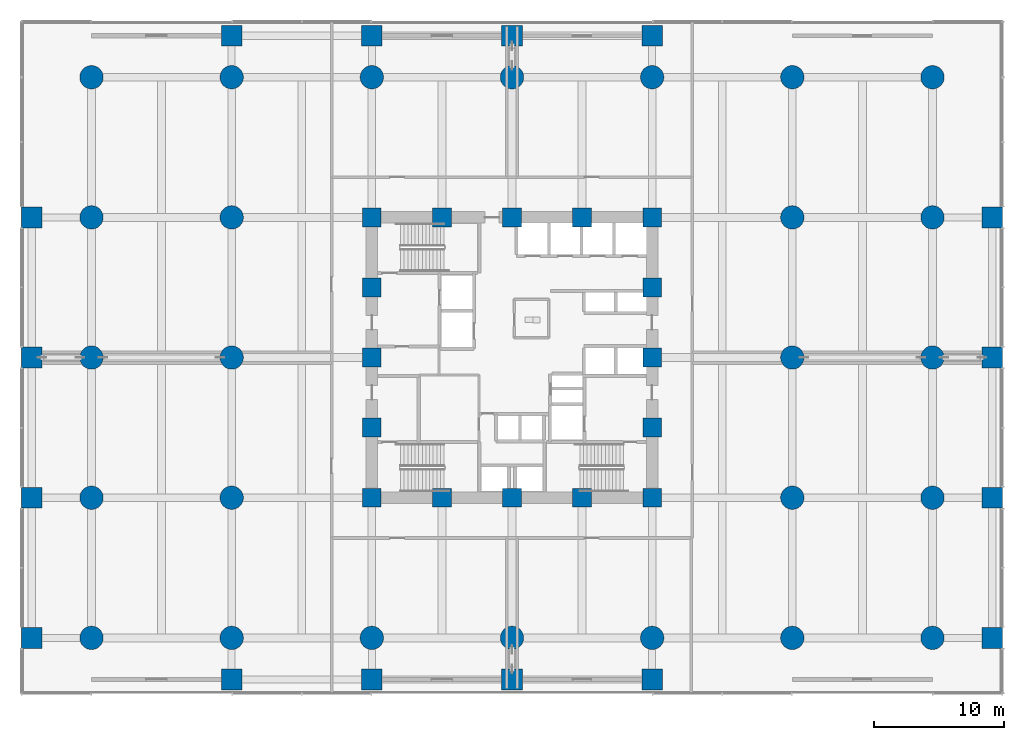
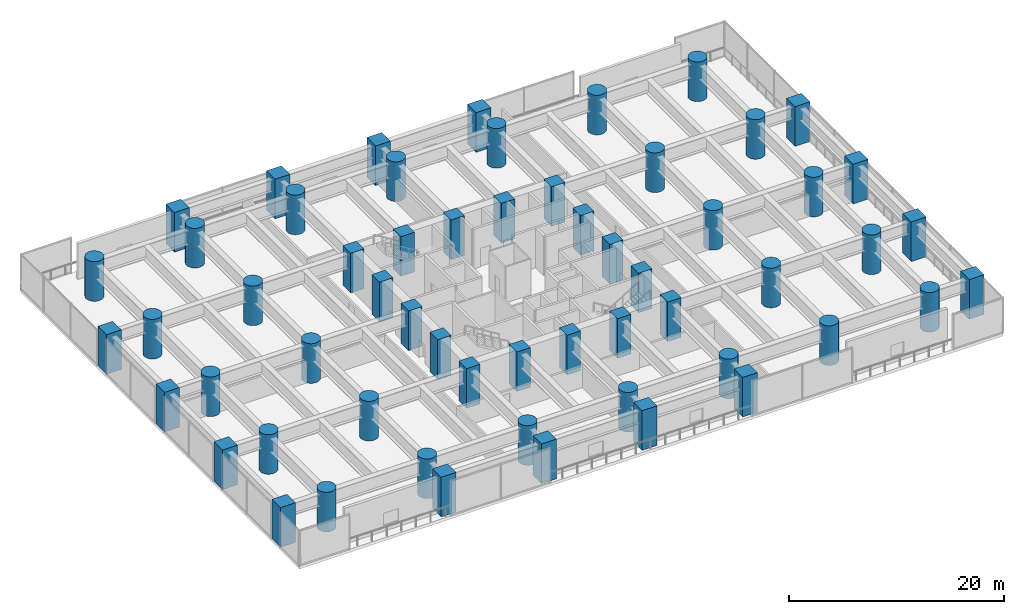
# One storey, part 1 of 37: 58 columns.
"""IFC4 building model written with IfcOpenShell, lengths in metres."""

from ifc_helpers import new_model, si_unit, direction, frame, origin, origin_2d, place, context, subcontext, project, spatial, rectangle, circle, extrude, material, material_profile, profile_set, type_object, element, save


model = new_model("IFC4")

# Units and contexts
model_context = context("Model", 3, precision=1e-05, world=origin(), true_north=direction((0.0, 1.0)))
body_context = subcontext(model_context, "Body", "Model", "MODEL_VIEW")
ifc_project = project(units=[si_unit("LENGTHUNIT", "METRE"), si_unit("AREAUNIT", "SQUARE_METRE"), si_unit("VOLUMEUNIT", "CUBIC_METRE"), si_unit("PLANEANGLEUNIT", "RADIAN"), si_unit("MASSUNIT", "GRAM", prefix="KILO")], contexts=[model_context])

# Site, building, storey
site_placement = place(None, origin())
site = spatial("IfcSite", under=ifc_project, at=site_placement, CompositionType="ELEMENT")
building_placement = place(site_placement, origin())
building = spatial("IfcBuilding", under=site, at=building_placement, Name="Surkhivell Harbour Commons", CompositionType="ELEMENT")
storey_placement = place(building_placement, frame((0.0, 0.0, 18.0)))
storey = spatial("IfcBuildingStorey", under=building, at=storey_placement, Name="L04", CompositionType="ELEMENT", Elevation=18.0)

# Columns
ifc_material = material(Name="Concrete C80/95", Category="concrete")
ifc_material_profile_1 = material_profile(ifc_material, rectangle(XDim=1.449951171875, YDim=1.449951171875, at=origin_2d()), Name="RC-COL-1450x1450")
ifc_profile_set_1 = profile_set([ifc_material_profile_1], Name="Concrete C80/95")
column_type_1 = type_object("IfcColumnType", Name="COL-CORE-1450", PredefinedType="COLUMN", material=ifc_profile_set_1)
for number, where, z_axis, x_axis, name in (
    (1, (-10.800048828125, -10.800048828125, 0.0), (0.0, 0.0, 1.0), (1.0, 0.0, 0.0), "L04 Column CC-1 (-10.8,-10.8)"),
    (2, (-10.800048828125, -5.39990234375, 0.0), (0.0, 0.0, 1.0), (1.0, 0.0, 0.0), "L04 Column CC-1 (-10.8,-5.4)"),
    (3, (-10.800048828125, 0.0, 0.0), (0.0, 0.0, 1.0), (1.0, 0.0, 0.0), "L04 Column CC-1 (-10.8,0.0)"),
    (4, (-10.800048828125, 5.39990234375, 0.0), (0.0, 0.0, 1.0), (1.0, 0.0, 0.0), "L04 Column CC-1 (-10.8,5.4)"),
    (5, (-10.800048828125, 10.800048828125, 0.0), (0.0, 0.0, 1.0), (1.0, 0.0, 0.0), "L04 Column CC-1 (-10.8,10.8)"),
    (6, (-5.39990234375, -10.800048828125, 0.0), (0.0, 0.0, 1.0), (1.0, 0.0, 0.0), "L04 Column CC-1 (-5.4,-10.8)"),
    (7, (-5.39990234375, 10.800048828125, 0.0), (0.0, 0.0, 1.0), (1.0, 0.0, 0.0), "L04 Column CC-1 (-5.4,10.8)"),
    (8, (0.0, -10.800048828125, 0.0), (0.0, 0.0, 1.0), (1.0, 0.0, 0.0), "L04 Column CC-1 (0.0,-10.8)"),
    (9, (0.0, 10.800048828125, 0.0), (0.0, 0.0, 1.0), (1.0, 0.0, 0.0), "L04 Column CC-1 (0.0,10.8)"),
    (10, (5.39990234375, -10.800048828125, 0.0), (0.0, 0.0, 1.0), (1.0, 0.0, 0.0), "L04 Column CC-1 (5.4,-10.8)"),
    (11, (5.39990234375, 10.800048828125, 0.0), (0.0, 0.0, 1.0), (1.0, 0.0, 0.0), "L04 Column CC-1 (5.4,10.8)"),
    (12, (10.800048828125, -10.800048828125, 0.0), (0.0, 0.0, 1.0), (1.0, 0.0, 0.0), "L04 Column CC-1 (10.8,-10.8)"),
    (13, (10.800048828125, -5.39990234375, 0.0), (0.0, 0.0, 1.0), (1.0, 0.0, 0.0), "L04 Column CC-1 (10.8,-5.4)"),
    (14, (10.800048828125, 0.0, 0.0), (0.0, 0.0, 1.0), (1.0, 0.0, 0.0), "L04 Column CC-1 (10.8,0.0)"),
    (15, (10.800048828125, 5.39990234375, 0.0), (0.0, 0.0, 1.0), (1.0, 0.0, 0.0), "L04 Column CC-1 (10.8,5.4)"),
    (16, (10.800048828125, 10.800048828125, 0.0), (0.0, 0.0, 1.0), (1.0, 0.0, 0.0), "L04 Column CC-1 (10.8,10.8)"),
):
    element("IfcColumn", number, at=place(storey_placement, frame(where, z_axis=z_axis, x_axis=x_axis)), inside=storey, type_object=column_type_1, Name=name, PredefinedType="COLUMN", context=body_context, shape_type="SweptSolid", body=[
        extrude(rectangle(XDim=1.449951171875, YDim=1.449951171875, at=origin_2d()), origin(), (0.0, 0.0, 1.0), 4.5),
    ])
ifc_material_profile_2 = material_profile(ifc_material, rectangle(XDim=1.60009765625, YDim=1.60009765625, at=origin_2d()), Name="RC-COL-1600x1600")
ifc_profile_set_2 = profile_set([ifc_material_profile_2], Name="Concrete C80/95")
column_type_2 = type_object("IfcColumnType", Name="COL-MEGA-1600", PredefinedType="COLUMN", material=ifc_profile_set_2)
for number, where, z_axis, x_axis, name in (
    (17, (-37.0, -21.60009765625, 0.0), (0.0, 0.0, 1.0), (1.0, 0.0, 0.0), "L04 Column CM-1 (-37.0,-21.6)"),
    (18, (-37.0, -10.800048828125, 0.0), (0.0, 0.0, 1.0), (1.0, 0.0, 0.0), "L04 Column CM-1 (-37.0,-10.8)"),
    (19, (-37.0, 0.0, 0.0), (0.0, 0.0, 1.0), (1.0, 0.0, 0.0), "L04 Column CM-1 (-37.0,0.0)"),
    (20, (-37.0, 10.800048828125, 0.0), (0.0, 0.0, 1.0), (1.0, 0.0, 0.0), "L04 Column CM-1 (-37.0,10.8)"),
    (21, (-21.60009765625, -24.800048828125, 0.0), (0.0, 0.0, 1.0), (1.0, 0.0, 0.0), "L04 Column CM-1 (-21.6,-24.8)"),
    (22, (-21.60009765625, 24.800048828125, 0.0), (0.0, 0.0, 1.0), (1.0, 0.0, 0.0), "L04 Column CM-1 (-21.6,24.8)"),
    (23, (-10.800048828125, -24.800048828125, 0.0), (0.0, 0.0, 1.0), (1.0, 0.0, 0.0), "L04 Column CM-1 (-10.8,-24.8)"),
    (24, (-10.800048828125, 24.800048828125, 0.0), (0.0, 0.0, 1.0), (1.0, 0.0, 0.0), "L04 Column CM-1 (-10.8,24.8)"),
    (25, (0.0, -24.800048828125, 0.0), (0.0, 0.0, 1.0), (1.0, 0.0, 0.0), "L04 Column CM-1 (0.0,-24.8)"),
    (26, (0.0, 24.800048828125, 0.0), (0.0, 0.0, 1.0), (1.0, 0.0, 0.0), "L04 Column CM-1 (0.0,24.8)"),
    (27, (10.800048828125, -24.800048828125, 0.0), (0.0, 0.0, 1.0), (1.0, 0.0, 0.0), "L04 Column CM-1 (10.8,-24.8)"),
    (28, (10.800048828125, 24.800048828125, 0.0), (0.0, 0.0, 1.0), (1.0, 0.0, 0.0), "L04 Column CM-1 (10.8,24.8)"),
    (29, (37.0, -21.60009765625, 0.0), (0.0, 0.0, 1.0), (1.0, 0.0, 0.0), "L04 Column CM-1 (37.0,-21.6)"),
    (30, (37.0, -10.800048828125, 0.0), (0.0, 0.0, 1.0), (1.0, 0.0, 0.0), "L04 Column CM-1 (37.0,-10.8)"),
    (31, (37.0, 0.0, 0.0), (0.0, 0.0, 1.0), (1.0, 0.0, 0.0), "L04 Column CM-1 (37.0,0.0)"),
    (32, (37.0, 10.800048828125, 0.0), (0.0, 0.0, 1.0), (1.0, 0.0, 0.0), "L04 Column CM-1 (37.0,10.8)"),
):
    element("IfcColumn", number, at=place(storey_placement, frame(where, z_axis=z_axis, x_axis=x_axis)), inside=storey, type_object=column_type_2, Name=name, PredefinedType="COLUMN", context=body_context, shape_type="SweptSolid", body=[
        extrude(rectangle(XDim=1.60009765625, YDim=1.60009765625, at=origin_2d()), origin(), (0.0, 0.0, 1.0), 4.5),
    ])
ifc_material_profile_3 = material_profile(ifc_material, circle(Radius=0.89990234375, at=origin_2d()), Name="RC-CIRC-1800")
ifc_profile_set_3 = profile_set([ifc_material_profile_3], Name="Concrete C80/95")
column_type_3 = type_object("IfcColumnType", Name="COL-STILT-1800", PredefinedType="COLUMN", material=ifc_profile_set_3)
for number, where, z_axis, x_axis, name in (
    (33, (-32.39990234375, -21.60009765625, 0.0), (0.0, 0.0, 1.0), (1.0, 0.0, 0.0), "L04 Column CS-1 (-32.4,-21.6)"),
    (34, (-32.39990234375, -10.800048828125, 0.0), (0.0, 0.0, 1.0), (1.0, 0.0, 0.0), "L04 Column CS-1 (-32.4,-10.8)"),
    (35, (-32.39990234375, 0.0, 0.0), (0.0, 0.0, 1.0), (1.0, 0.0, 0.0), "L04 Column CS-1 (-32.4,0.0)"),
    (36, (-32.39990234375, 10.800048828125, 0.0), (0.0, 0.0, 1.0), (1.0, 0.0, 0.0), "L04 Column CS-1 (-32.4,10.8)"),
    (37, (-32.39990234375, 21.60009765625, 0.0), (0.0, 0.0, 1.0), (1.0, 0.0, 0.0), "L04 Column CS-1 (-32.4,21.6)"),
    (38, (-21.60009765625, -21.60009765625, 0.0), (0.0, 0.0, 1.0), (1.0, 0.0, 0.0), "L04 Column CS-1 (-21.6,-21.6)"),
    (39, (-21.60009765625, -10.800048828125, 0.0), (0.0, 0.0, 1.0), (1.0, 0.0, 0.0), "L04 Column CS-1 (-21.6,-10.8)"),
    (40, (-21.60009765625, 0.0, 0.0), (0.0, 0.0, 1.0), (1.0, 0.0, 0.0), "L04 Column CS-1 (-21.6,0.0)"),
    (41, (-21.60009765625, 10.800048828125, 0.0), (0.0, 0.0, 1.0), (1.0, 0.0, 0.0), "L04 Column CS-1 (-21.6,10.8)"),
    (42, (-21.60009765625, 21.60009765625, 0.0), (0.0, 0.0, 1.0), (1.0, 0.0, 0.0), "L04 Column CS-1 (-21.6,21.6)"),
    (43, (-10.800048828125, -21.60009765625, 0.0), (0.0, 0.0, 1.0), (1.0, 0.0, 0.0), "L04 Column CS-1 (-10.8,-21.6)"),
    (44, (-10.800048828125, 21.60009765625, 0.0), (0.0, 0.0, 1.0), (1.0, 0.0, 0.0), "L04 Column CS-1 (-10.8,21.6)"),
    (45, (0.0, -21.60009765625, 0.0), (0.0, 0.0, 1.0), (1.0, 0.0, 0.0), "L04 Column CS-1 (0.0,-21.6)"),
    (46, (0.0, 21.60009765625, 0.0), (0.0, 0.0, 1.0), (1.0, 0.0, 0.0), "L04 Column CS-1 (0.0,21.6)"),
    (47, (10.800048828125, -21.60009765625, 0.0), (0.0, 0.0, 1.0), (1.0, 0.0, 0.0), "L04 Column CS-1 (10.8,-21.6)"),
    (48, (10.800048828125, 21.60009765625, 0.0), (0.0, 0.0, 1.0), (1.0, 0.0, 0.0), "L04 Column CS-1 (10.8,21.6)"),
    (49, (21.60009765625, -21.60009765625, 0.0), (0.0, 0.0, 1.0), (1.0, 0.0, 0.0), "L04 Column CS-1 (21.6,-21.6)"),
    (50, (21.60009765625, -10.800048828125, 0.0), (0.0, 0.0, 1.0), (1.0, 0.0, 0.0), "L04 Column CS-1 (21.6,-10.8)"),
    (51, (21.60009765625, 0.0, 0.0), (0.0, 0.0, 1.0), (1.0, 0.0, 0.0), "L04 Column CS-1 (21.6,0.0)"),
    (52, (21.60009765625, 10.800048828125, 0.0), (0.0, 0.0, 1.0), (1.0, 0.0, 0.0), "L04 Column CS-1 (21.6,10.8)"),
    (53, (21.60009765625, 21.60009765625, 0.0), (0.0, 0.0, 1.0), (1.0, 0.0, 0.0), "L04 Column CS-1 (21.6,21.6)"),
    (54, (32.39990234375, -21.60009765625, 0.0), (0.0, 0.0, 1.0), (1.0, 0.0, 0.0), "L04 Column CS-1 (32.4,-21.6)"),
    (55, (32.39990234375, -10.800048828125, 0.0), (0.0, 0.0, 1.0), (1.0, 0.0, 0.0), "L04 Column CS-1 (32.4,-10.8)"),
    (56, (32.39990234375, 0.0, 0.0), (0.0, 0.0, 1.0), (1.0, 0.0, 0.0), "L04 Column CS-1 (32.4,0.0)"),
    (57, (32.39990234375, 10.800048828125, 0.0), (0.0, 0.0, 1.0), (1.0, 0.0, 0.0), "L04 Column CS-1 (32.4,10.8)"),
    (58, (32.39990234375, 21.60009765625, 0.0), (0.0, 0.0, 1.0), (1.0, 0.0, 0.0), "L04 Column CS-1 (32.4,21.6)"),
):
    element("IfcColumn", number, at=place(storey_placement, frame(where, z_axis=z_axis, x_axis=x_axis)), inside=storey, type_object=column_type_3, Name=name, PredefinedType="COLUMN", context=body_context, shape_type="SweptSolid", body=[
        extrude(circle(Radius=0.89990234375, at=origin_2d()), origin(), (0.0, 0.0, 1.0), 4.5),
    ])

save(model, "model.ifc")
